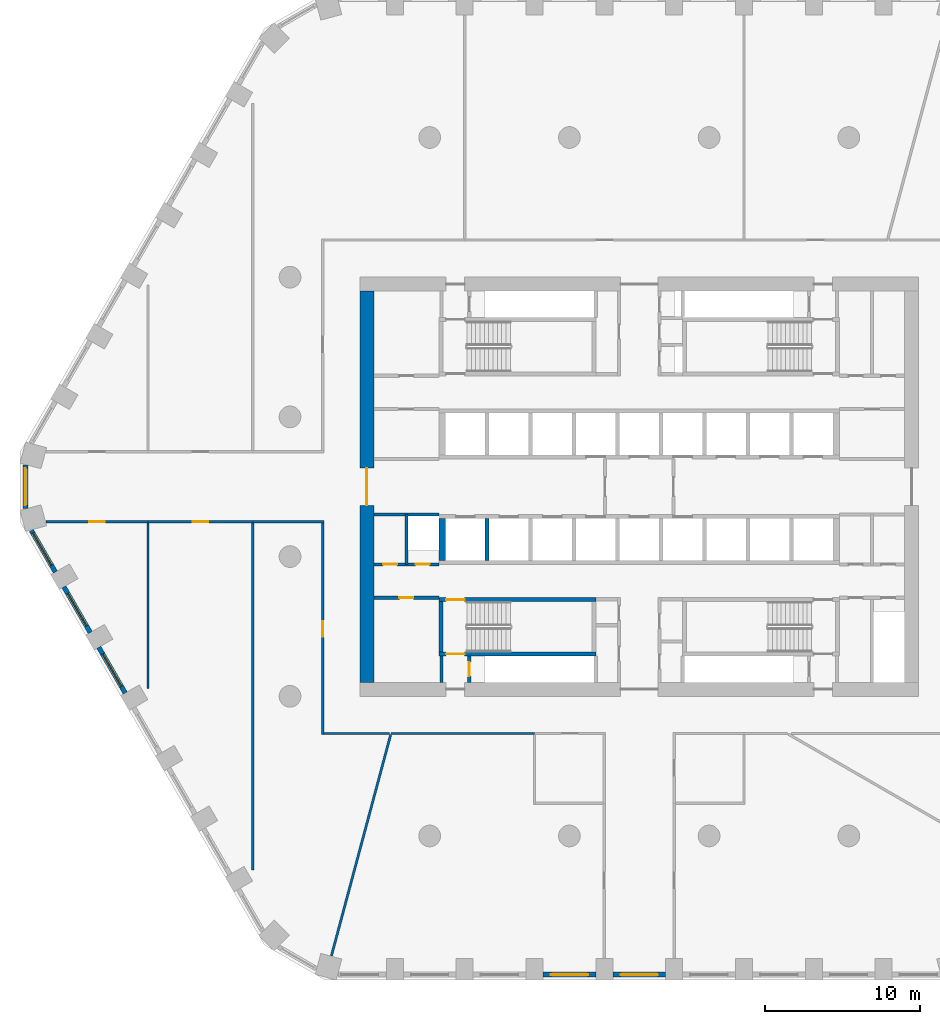
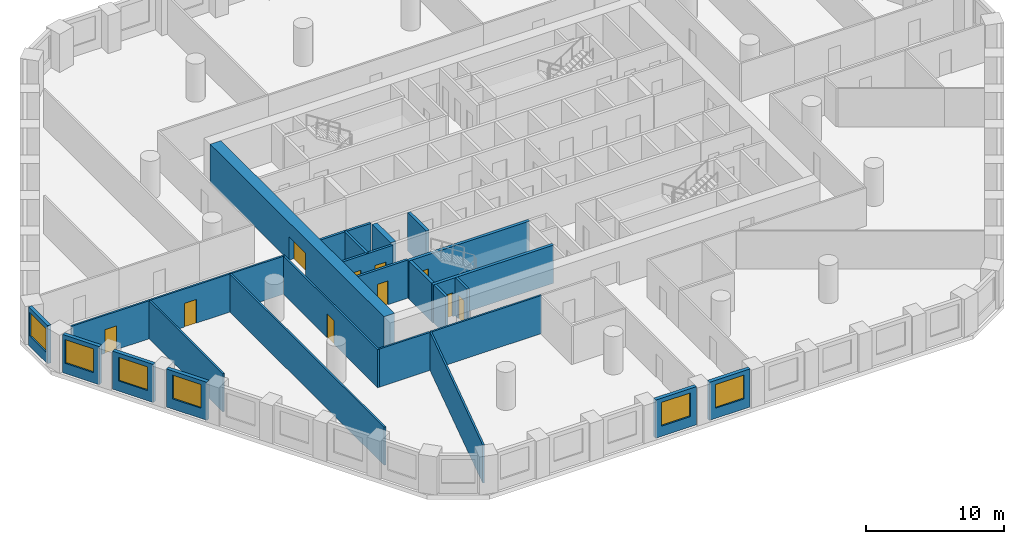
# One storey, part 2 of 10: 27 walls, 10 doors, 6 windows, 16 openings.
"""IFC4 building model written with IfcOpenShell, lengths in metres."""

from ifc_helpers import new_model, si_unit, direction, frame, frame_2d, origin, place, context, subcontext, project, spatial, polyline, rectangle, outline, extrude, material, layer, layer_set, type_object, element, fill, save


model = new_model("IFC4")

# Units and contexts
model_context = context("Model", 3, precision=1e-05, world=origin(), true_north=direction((0.0, 1.0)))
body_context = subcontext(model_context, "Body", "Model", "MODEL_VIEW")
ifc_project = project(units=[si_unit("LENGTHUNIT", "METRE"), si_unit("AREAUNIT", "SQUARE_METRE"), si_unit("VOLUMEUNIT", "CUBIC_METRE"), si_unit("PLANEANGLEUNIT", "RADIAN"), si_unit("MASSUNIT", "GRAM", prefix="KILO")], contexts=[model_context])

# Site, building, storey
site_placement = place(None, origin())
site = spatial("IfcSite", under=ifc_project, at=site_placement, CompositionType="ELEMENT")
building_placement = place(site_placement, origin())
building = spatial("IfcBuilding", under=site, at=building_placement, Name="Dhurran Vertical Campus", CompositionType="ELEMENT")
storey_placement = place(building_placement, frame((0.0, 0.0, 72.89990234375)))
storey = spatial("IfcBuildingStorey", under=building, at=storey_placement, Name="L17", CompositionType="ELEMENT", Elevation=72.89990234375)

# Wall, opening, window
ifc_material_1 = material(Name="Precast concrete C50/60", Category="concrete")
ifc_layer_1 = layer(ifc_material_1, 0.300048828125)
ifc_layer_set_1 = layer_set([ifc_layer_1], Name="Precast concrete C50/60")
wall_type_1 = type_object("IfcWallType", Name="Precast spandrel wall 300", PredefinedType="SOLIDWALL", material=ifc_layer_set_1)
wall_1_placement = place(storey_placement, frame((-6.199462890625, -31.4296875, 0.0), z_axis=(0.0, 0.0, 1.0), x_axis=(1.0, 0.0, 0.0)))
wall_1 = element("IfcWall", 1, at=wall_1_placement, inside=storey, type_object=wall_type_1, Name="EW1 L17.03", PredefinedType="SOLIDWALL", context=body_context, shape_type="SweptSolid", body=[
    extrude(rectangle(XDim=3.39892578125, YDim=0.300048828125, at=frame_2d((1.699462890625, 0.0))), origin(), (0.0, 0.0, 1.0), 3.375),
])
opening_1_placement = place(wall_1_placement, frame((0.49951171875, 0.0, 0.89990234375)))
opening_1 = element("IfcOpeningElement", 2, at=opening_1_placement, cuts=wall_1, Name="Opening WT1", PredefinedType="OPENING", context=body_context, shape_type="SweptSolid", body=[
    extrude(rectangle(XDim=2.39990234375, YDim=2.10009765625, at=frame_2d((1.199951171875, 1.050048828125))), frame((0.0, 0.159912109375, 0.0), z_axis=(0.0, -1.0, 0.0), x_axis=(1.0, 0.0, 0.0)), (0.0, 0.0, 1.0), 0.320068359375),
])
ifc_material_2 = material(Name="Aluminium frame with solar-control glass", Category="aluminium")
window_type = type_object("IfcWindowType", Name="Punched window 2400 x 2100", PartitioningType="SINGLE_PANEL", PredefinedType="WINDOW", material=ifc_material_2)
window_1_placement = place(opening_1_placement, origin())
window_1 = element("IfcWindow", 3, at=window_1_placement, inside=storey, type_object=window_type, Name="WT1 L17.03", OverallHeight=2.10009765625, OverallWidth=2.39990234375, PartitioningType="SINGLE_PANEL", PredefinedType="WINDOW", context=body_context, shape_type="SweptSolid", body=[
    extrude(rectangle(XDim=2.39990234375, YDim=2.10009765625, at=frame_2d((1.199951171875, 1.050048828125))), frame((0.0, 0.030029296875, 0.0), z_axis=(0.0, -1.0, 0.0), x_axis=(1.0, 0.0, 0.0)), (0.0, 0.0, 1.0), 0.06005859375),
])
fill(opening_1, window_1)

wall_2_placement = place(storey_placement, frame((-1.699462890625, -31.4296875, 0.0), z_axis=(0.0, 0.0, 1.0), x_axis=(1.0, 0.0, 0.0)))
wall_2 = element("IfcWall", 4, at=wall_2_placement, inside=storey, type_object=wall_type_1, Name="EW1 L17.04", PredefinedType="SOLIDWALL", context=body_context, shape_type="SweptSolid", body=[
    extrude(rectangle(XDim=3.39892578125, YDim=0.300048828125, at=frame_2d((1.699462890625, 0.0))), origin(), (0.0, 0.0, 1.0), 3.375),
])
opening_2_placement = place(wall_2_placement, frame((0.49951171875, 0.0, 0.89990234375)))
opening_2 = element("IfcOpeningElement", 5, at=opening_2_placement, cuts=wall_2, Name="Opening WT1", PredefinedType="OPENING", context=body_context, shape_type="SweptSolid", body=[
    extrude(rectangle(XDim=2.39990234375, YDim=2.10009765625, at=frame_2d((1.199951171875, 1.050048828125))), frame((0.0, 0.159912109375, 0.0), z_axis=(0.0, -1.0, 0.0), x_axis=(1.0, 0.0, 0.0)), (0.0, 0.0, 1.0), 0.320068359375),
])
window_2_placement = place(opening_2_placement, origin())
window_2 = element("IfcWindow", 6, at=window_2_placement, inside=storey, type_object=window_type, Name="WT1 L17.04", OverallHeight=2.10009765625, OverallWidth=2.39990234375, PartitioningType="SINGLE_PANEL", PredefinedType="WINDOW", context=body_context, shape_type="SweptSolid", body=[
    extrude(rectangle(XDim=2.39990234375, YDim=2.10009765625, at=frame_2d((1.199951171875, 1.050048828125))), frame((0.0, 0.030029296875, 0.0), z_axis=(0.0, -1.0, 0.0), x_axis=(1.0, 0.0, 0.0)), (0.0, 0.0, 1.0), 0.06005859375),
])
fill(opening_2, window_2)

wall_3_placement = place(storey_placement, frame((-39.547119140625, 1.39111328125, 0.0), z_axis=(0.0, 0.0, 1.0), x_axis=(0.0, -1.0, 0.0)))
wall_3 = element("IfcWall", 7, at=wall_3_placement, inside=storey, type_object=wall_type_1, Name="EW1 L17.43", PredefinedType="SOLIDWALL", context=body_context, shape_type="SweptSolid", body=[
    extrude(rectangle(XDim=2.7822265625, YDim=0.300048828125, at=frame_2d((1.39111328125, 0.0))), origin(), (0.0, 0.0, 1.0), 3.375),
])
opening_3_placement = place(wall_3_placement, frame((0.191162109375, 0.0, 0.89990234375)))
opening_3 = element("IfcOpeningElement", 8, at=opening_3_placement, cuts=wall_3, Name="Opening WT1", PredefinedType="OPENING", context=body_context, shape_type="SweptSolid", body=[
    extrude(rectangle(XDim=2.39990234375, YDim=2.10009765625, at=frame_2d((1.199951171875, 1.050048828125))), frame((0.0, 0.159912109375, 0.0), z_axis=(0.0, -1.0, 0.0), x_axis=(1.0, 0.0, 0.0)), (0.0, 0.0, 1.0), 0.320068359375),
])
window_3_placement = place(opening_3_placement, origin())
window_3 = element("IfcWindow", 9, at=window_3_placement, inside=storey, type_object=window_type, Name="WT1 L17.43", OverallHeight=2.10009765625, OverallWidth=2.39990234375, PartitioningType="SINGLE_PANEL", PredefinedType="WINDOW", context=body_context, shape_type="SweptSolid", body=[
    extrude(rectangle(XDim=2.39990234375, YDim=2.10009765625, at=frame_2d((1.199951171875, 1.050048828125))), frame((0.0, 0.030029296875, 0.0), z_axis=(0.0, -1.0, 0.0), x_axis=(1.0, 0.0, 0.0)), (0.0, 0.0, 1.0), 0.06005859375),
])
fill(opening_3, window_3)

wall_4_placement = place(storey_placement, frame((-39.16455078125, -2.81884765625, 0.0), z_axis=(0.0, 0.0, 1.0), x_axis=(0.49997090907, -0.866042198789, 0.0)))
wall_4 = element("IfcWall", 10, at=wall_4_placement, inside=storey, type_object=wall_type_1, Name="EW1 L17.44", PredefinedType="SOLIDWALL", context=body_context, shape_type="SweptSolid", body=[
    extrude(rectangle(XDim=3.090576171875, YDim=0.300048828125, at=frame_2d((1.54541015625, 0.0))), origin(), (0.0, 0.0, 1.0), 3.375),
])
opening_4_placement = place(wall_4_placement, frame((0.19091796875, 0.0, 0.89990234375)))
opening_4 = element("IfcOpeningElement", 11, at=opening_4_placement, cuts=wall_4, Name="Opening WT1", PredefinedType="OPENING", context=body_context, shape_type="SweptSolid", body=[
    extrude(rectangle(XDim=2.39990234375, YDim=2.10009765625, at=frame_2d((1.199951171875, 1.050048828125))), frame((0.0, 0.159912109375, 0.0), z_axis=(0.0, -1.0, 0.0), x_axis=(1.0, 0.0, 0.0)), (0.0, 0.0, 1.0), 0.320068359375),
])
window_4_placement = place(opening_4_placement, origin())
window_4 = element("IfcWindow", 12, at=window_4_placement, inside=storey, type_object=window_type, Name="WT1 L17.44", OverallHeight=2.10009765625, OverallWidth=2.39990234375, PartitioningType="SINGLE_PANEL", PredefinedType="WINDOW", context=body_context, shape_type="SweptSolid", body=[
    extrude(rectangle(XDim=2.39990234375, YDim=2.10009765625, at=frame_2d((1.199951171875, 1.050048828125))), frame((0.0, 0.030029296875, 0.0), z_axis=(0.0, -1.0, 0.0), x_axis=(1.0, 0.0, 0.0)), (0.0, 0.0, 1.0), 0.06005859375),
])
fill(opening_4, window_4)

wall_5_placement = place(storey_placement, frame((-37.06884765625, -6.448974609375, 0.0), z_axis=(0.0, 0.0, 1.0), x_axis=(0.499993955907, -0.866028893315, 0.0)))
wall_5 = element("IfcWall", 13, at=wall_5_placement, inside=storey, type_object=wall_type_1, Name="EW1 L17.45", PredefinedType="SOLIDWALL", context=body_context, shape_type="SweptSolid", body=[
    extrude(rectangle(XDim=3.39892578125, YDim=0.300048828125, at=frame_2d((1.699462890625, 0.0))), origin(), (0.0, 0.0, 1.0), 3.375),
])
opening_5_placement = place(wall_5_placement, frame((0.49951171875, 0.0, 0.89990234375)))
opening_5 = element("IfcOpeningElement", 14, at=opening_5_placement, cuts=wall_5, Name="Opening WT1", PredefinedType="OPENING", context=body_context, shape_type="SweptSolid", body=[
    extrude(rectangle(XDim=2.39990234375, YDim=2.10009765625, at=frame_2d((1.199951171875, 1.050048828125))), frame((0.0, 0.159912109375, 0.0), z_axis=(0.0, -1.0, 0.0), x_axis=(1.0, 0.0, 0.0)), (0.0, 0.0, 1.0), 0.320068359375),
])
window_5_placement = place(opening_5_placement, origin())
window_5 = element("IfcWindow", 15, at=window_5_placement, inside=storey, type_object=window_type, Name="WT1 L17.45", OverallHeight=2.10009765625, OverallWidth=2.39990234375, PartitioningType="SINGLE_PANEL", PredefinedType="WINDOW", context=body_context, shape_type="SweptSolid", body=[
    extrude(rectangle(XDim=2.39990234375, YDim=2.10009765625, at=frame_2d((1.199951171875, 1.050048828125))), frame((0.0, 0.030029296875, 0.0), z_axis=(0.0, -1.0, 0.0), x_axis=(1.0, 0.0, 0.0)), (0.0, 0.0, 1.0), 0.06005859375),
])
fill(opening_5, window_5)

wall_6_placement = place(storey_placement, frame((-34.81884765625, -10.345947265625, 0.0), z_axis=(0.0, 0.0, 1.0), x_axis=(0.499993955907, -0.866028893315, 0.0)))
wall_6 = element("IfcWall", 16, at=wall_6_placement, inside=storey, type_object=wall_type_1, Name="EW1 L17.46", PredefinedType="SOLIDWALL", context=body_context, shape_type="SweptSolid", body=[
    extrude(rectangle(XDim=3.39892578125, YDim=0.300048828125, at=frame_2d((1.699462890625, 0.0))), origin(), (0.0, 0.0, 1.0), 3.375),
])
opening_6_placement = place(wall_6_placement, frame((0.49951171875, 0.0, 0.89990234375)))
opening_6 = element("IfcOpeningElement", 17, at=opening_6_placement, cuts=wall_6, Name="Opening WT1", PredefinedType="OPENING", context=body_context, shape_type="SweptSolid", body=[
    extrude(rectangle(XDim=2.39990234375, YDim=2.10009765625, at=frame_2d((1.199951171875, 1.050048828125))), frame((0.0, 0.159912109375, 0.0), z_axis=(0.0, -1.0, 0.0), x_axis=(1.0, 0.0, 0.0)), (0.0, 0.0, 1.0), 0.320068359375),
])
window_6_placement = place(opening_6_placement, origin())
window_6 = element("IfcWindow", 18, at=window_6_placement, inside=storey, type_object=window_type, Name="WT1 L17.46", OverallHeight=2.10009765625, OverallWidth=2.39990234375, PartitioningType="SINGLE_PANEL", PredefinedType="WINDOW", context=body_context, shape_type="SweptSolid", body=[
    extrude(rectangle(XDim=2.39990234375, YDim=2.10009765625, at=frame_2d((1.199951171875, 1.050048828125))), frame((0.0, 0.030029296875, 0.0), z_axis=(0.0, -1.0, 0.0), x_axis=(1.0, 0.0, 0.0)), (0.0, 0.0, 1.0), 0.06005859375),
])
fill(opening_6, window_6)

# Wall, opening, door
ifc_material_3 = material(Name="Concrete C60/75", Category="concrete")
ifc_layer_2 = layer(ifc_material_3, 0.89990234375)
ifc_layer_set_2 = layer_set([ifc_layer_2], Name="Concrete C60/75")
wall_type_2 = type_object("IfcWallType", Name="co-CORE-WALL-C0-900", PredefinedType="SHEAR", material=ifc_layer_set_2)
wall_7_placement = place(storey_placement, frame((-17.550048828125, -12.60009765625, 0.0), z_axis=(0.0, 0.0, 1.0), x_axis=(0.0, 1.0, 0.0)))
wall_7 = element("IfcWall", 19, at=wall_7_placement, inside=storey, type_object=wall_type_2, Name="Core wall W L17", PredefinedType="SHEAR", context=body_context, shape_type="SweptSolid", body=[
    extrude(rectangle(XDim=25.2001953125, YDim=0.89990234375, at=frame_2d((12.60009765625, 0.0))), origin(), (0.0, 0.0, 1.0), 3.375),
])
opening_7_placement = place(wall_7_placement, frame((11.39990234375, 0.0, 0.0)))
opening_7 = element("IfcOpeningElement", 20, at=opening_7_placement, cuts=wall_7, Name="Opening CL1", PredefinedType="OPENING", context=body_context, shape_type="SweptSolid", body=[
    extrude(rectangle(XDim=2.39990234375, YDim=2.10009765625, at=frame_2d((1.199951171875, 1.050048828125))), frame((0.0, 0.4599609375, 0.0), z_axis=(0.0, -1.0, 0.0), x_axis=(1.0, 0.0, 0.0)), (0.0, 0.0, 1.0), 0.919921875),
])
ifc_material_4 = material(Name="Fire-rated glazed door set")
door_type_1 = type_object("IfcDoorType", Name="co-D-LOBBY 2400x2100", OperationType="DOUBLE_DOOR_DOUBLE_SWING", PredefinedType="DOOR", material=ifc_material_4)
door_1_placement = place(opening_7_placement, origin())
door_1 = element("IfcDoor", 21, at=door_1_placement, inside=storey, type_object=door_type_1, Name="Lift lobby door W L17", OperationType="DOUBLE_DOOR_DOUBLE_SWING", OverallHeight=2.10009765625, OverallWidth=2.39990234375, PredefinedType="DOOR", context=body_context, shape_type="SweptSolid", body=[
    extrude(rectangle(XDim=2.39990234375, YDim=2.10009765625, at=frame_2d((1.199951171875, 1.050048828125))), frame((0.0, 0.02490234375, 0.0), z_axis=(0.0, -1.0, 0.0), x_axis=(1.0, 0.0, 0.0)), (0.0, 0.0, 1.0), 0.050048828125),
])
fill(opening_7, door_1)

# Wall
ifc_material_5 = material(Name="Fire-rated masonry blockwork", Category="masonry")
ifc_layer_3 = layer(ifc_material_5, 0.199951171875)
ifc_layer_set_3 = layer_set([ifc_layer_3], Name="Fire-rated masonry blockwork")
wall_type_3 = type_object("IfcWallType", Name="co-FIRE-PARTITION-200", PredefinedType="PARTITIONING", material=ifc_layer_set_3)
wall_8_placement = place(storey_placement, frame((-12.75, -12.60009765625, 0.0), z_axis=(0.0, 0.0, 1.0), x_axis=(0.0, 1.0, 0.0)))
element("IfcWall", 22, at=wall_8_placement, inside=storey, type_object=wall_type_3, Name="Core partition pass-ST3-o L17", PredefinedType="PARTITIONING", context=body_context, shape_type="SweptSolid", body=[
    extrude(rectangle(XDim=1.7001953125, YDim=0.199951171875, at=frame_2d((0.85009765625, 0.0))), origin(), (0.0, 0.0, 1.0), 3.375),
])

# Wall, opening, door
wall_9_placement = place(storey_placement, frame((-10.949951171875, -12.60009765625, 0.0), z_axis=(0.0, 0.0, 1.0), x_axis=(0.0, 1.0, 0.0)))
wall_9 = element("IfcWall", 23, at=wall_9_placement, inside=storey, type_object=wall_type_3, Name="Core partition pass-ST3-i L17", PredefinedType="PARTITIONING", context=body_context, shape_type="SweptSolid", body=[
    extrude(rectangle(XDim=1.7001953125, YDim=0.199951171875, at=frame_2d((0.85009765625, 0.0))), origin(), (0.0, 0.0, 1.0), 3.375),
])
opening_8_placement = place(wall_9_placement, frame((0.39990234375, 0.0, 0.0)))
opening_8 = element("IfcOpeningElement", 24, at=opening_8_placement, cuts=wall_9, Name="Opening T04-C11", PredefinedType="OPENING", context=body_context, shape_type="SweptSolid", body=[
    extrude(rectangle(XDim=0.89990234375, YDim=2.10009765625, at=frame_2d((0.449951171875, 1.050048828125))), frame((0.0, 0.10986328125, 0.0), z_axis=(0.0, -1.0, 0.0), x_axis=(1.0, 0.0, 0.0)), (0.0, 0.0, 1.0), 0.219970703125),
])
ifc_material_6 = material(Name="Fire-rated timber door set", Category="wood")
door_type_2 = type_object("IfcDoorType", Name="co-D-ROOM 900x2100", OperationType="SINGLE_SWING_LEFT", PredefinedType="DOOR", material=ifc_material_6)
door_2_placement = place(opening_8_placement, origin())
door_2 = element("IfcDoor", 25, at=door_2_placement, inside=storey, type_object=door_type_2, Name="Riser room door L17", OperationType="SINGLE_SWING_LEFT", OverallHeight=2.10009765625, OverallWidth=0.89990234375, PredefinedType="DOOR", context=body_context, shape_type="SweptSolid", body=[
    extrude(rectangle(XDim=0.89990234375, YDim=2.10009765625, at=frame_2d((0.449951171875, 1.050048828125))), frame((0.0, 0.02490234375, 0.0), z_axis=(0.0, -1.0, 0.0), x_axis=(1.0, 0.0, 0.0)), (0.0, 0.0, 1.0), 0.050048828125),
])
fill(opening_8, door_2)

wall_10_placement = place(storey_placement, frame((-17.10009765625, -7.14990234375, 0.0), z_axis=(0.0, 0.0, 1.0), x_axis=(1.0, 0.0, 0.0)))
wall_10 = element("IfcWall", 26, at=wall_10_placement, inside=storey, type_object=wall_type_3, Name="Core partition en-SW-w L17", PredefinedType="PARTITIONING", context=body_context, shape_type="SweptSolid", body=[
    extrude(rectangle(XDim=4.2001953125, YDim=0.199951171875, at=frame_2d((2.10009765625, 0.0))), origin(), (0.0, 0.0, 1.0), 3.375),
])
opening_9_placement = place(wall_10_placement, frame((1.64990234375, 0.0, 0.0)))
opening_9 = element("IfcOpeningElement", 27, at=opening_9_placement, cuts=wall_10, Name="Opening T04-C18", PredefinedType="OPENING", context=body_context, shape_type="SweptSolid", body=[
    extrude(rectangle(XDim=0.89990234375, YDim=2.10009765625, at=frame_2d((0.449951171875, 1.050048828125))), frame((0.0, 0.10986328125, 0.0), z_axis=(0.0, -1.0, 0.0), x_axis=(1.0, 0.0, 0.0)), (0.0, 0.0, 1.0), 0.219970703125),
])
door_3_placement = place(opening_9_placement, origin())
door_3 = element("IfcDoor", 28, at=door_3_placement, inside=storey, type_object=door_type_2, Name="Cleaner's store door L17", OperationType="SINGLE_SWING_LEFT", OverallHeight=2.10009765625, OverallWidth=0.89990234375, PredefinedType="DOOR", context=body_context, shape_type="SweptSolid", body=[
    extrude(rectangle(XDim=0.89990234375, YDim=2.10009765625, at=frame_2d((0.449951171875, 1.050048828125))), frame((0.0, 0.02490234375, 0.0), z_axis=(0.0, -1.0, 0.0), x_axis=(1.0, 0.0, 0.0)), (0.0, 0.0, 1.0), 0.050048828125),
])
fill(opening_9, door_3)

# Wall
wall_11_placement = place(storey_placement, frame((-15.0, -5.0, 0.0), z_axis=(0.0, 0.0, 1.0), x_axis=(0.0, 1.0, 0.0)))
element("IfcWall", 29, at=wall_11_placement, inside=storey, type_object=wall_type_3, Name="Core partition es-SW-cut0 L17", PredefinedType="PARTITIONING", context=body_context, shape_type="SweptSolid", body=[
    extrude(rectangle(XDim=3.199951171875, YDim=0.199951171875, at=frame_2d((1.60009765625, 0.0))), origin(), (0.0, 0.0, 1.0), 3.375),
])

# Wall, openings, doors
wall_12_placement = place(storey_placement, frame((-17.10009765625, -5.0, 0.0), z_axis=(0.0, 0.0, 1.0), x_axis=(1.0, 0.0, 0.0)))
wall_12 = element("IfcWall", 30, at=wall_12_placement, inside=storey, type_object=wall_type_3, Name="Core partition es-SW-w L17", PredefinedType="PARTITIONING", context=body_context, shape_type="SweptSolid", body=[
    extrude(rectangle(XDim=4.2001953125, YDim=0.199951171875, at=frame_2d((2.10009765625, 0.0))), origin(), (0.0, 0.0, 1.0), 3.375),
])
opening_10_placement = place(wall_12_placement, frame((0.60009765625, 0.0, 0.0)))
opening_10 = element("IfcOpeningElement", 31, at=opening_10_placement, cuts=wall_12, Name="Opening T04-C19", PredefinedType="OPENING", context=body_context, shape_type="SweptSolid", body=[
    extrude(rectangle(XDim=0.89990234375, YDim=2.10009765625, at=frame_2d((0.449951171875, 1.050048828125))), frame((0.0, 0.10986328125, 0.0), z_axis=(0.0, -1.0, 0.0), x_axis=(1.0, 0.0, 0.0)), (0.0, 0.0, 1.0), 0.219970703125),
])
opening_11_placement = place(wall_12_placement, frame((2.699951171875, 0.0, 0.0)))
opening_11 = element("IfcOpeningElement", 32, at=opening_11_placement, cuts=wall_12, Name="Opening T04-C20", PredefinedType="OPENING", context=body_context, shape_type="SweptSolid", body=[
    extrude(rectangle(XDim=0.89990234375, YDim=2.10009765625, at=frame_2d((0.449951171875, 1.050048828125))), frame((0.0, 0.10986328125, 0.0), z_axis=(0.0, -1.0, 0.0), x_axis=(1.0, 0.0, 0.0)), (0.0, 0.0, 1.0), 0.219970703125),
])
door_4_placement = place(opening_10_placement, origin())
door_4 = element("IfcDoor", 33, at=door_4_placement, inside=storey, type_object=door_type_2, Name="Pantry door L17", OperationType="SINGLE_SWING_LEFT", OverallHeight=2.10009765625, OverallWidth=0.89990234375, PredefinedType="DOOR", context=body_context, shape_type="SweptSolid", body=[
    extrude(rectangle(XDim=0.89990234375, YDim=2.10009765625, at=frame_2d((0.449951171875, 1.050048828125))), frame((0.0, 0.02490234375, 0.0), z_axis=(0.0, -1.0, 0.0), x_axis=(1.0, 0.0, 0.0)), (0.0, 0.0, 1.0), 0.050048828125),
])
fill(opening_10, door_4)
door_5_placement = place(opening_11_placement, origin())
door_5 = element("IfcDoor", 34, at=door_5_placement, inside=storey, type_object=door_type_2, Name="Water riser door L17", OperationType="SINGLE_SWING_LEFT", OverallHeight=2.10009765625, OverallWidth=0.89990234375, PredefinedType="DOOR", context=body_context, shape_type="SweptSolid", body=[
    extrude(rectangle(XDim=0.89990234375, YDim=2.10009765625, at=frame_2d((0.449951171875, 1.050048828125))), frame((0.0, 0.02490234375, 0.0), z_axis=(0.0, -1.0, 0.0), x_axis=(1.0, 0.0, 0.0)), (0.0, 0.0, 1.0), 0.050048828125),
])
fill(opening_11, door_5)

# Walls
wall_13_placement = place(storey_placement, frame((-17.10009765625, -1.800048828125, 0.0), z_axis=(0.0, 0.0, 1.0), x_axis=(1.0, 0.0, 0.0)))
element("IfcWall", 35, at=wall_13_placement, inside=storey, type_object=wall_type_3, Name="Core partition es-SW-l L17", PredefinedType="PARTITIONING", context=body_context, shape_type="SweptSolid", body=[
    extrude(rectangle(XDim=4.2001953125, YDim=0.199951171875, at=frame_2d((2.10009765625, 0.0))), origin(), (0.0, 0.0, 1.0), 3.375),
])
ifc_material_7 = material(Name="Concrete C50/60", Category="concrete")
ifc_layer_4 = layer(ifc_material_7, 0.25)
ifc_layer_set_4 = layer_set([ifc_layer_4], Name="Concrete C50/60")
wall_type_4 = type_object("IfcWallType", Name="co-SHAFT-MASS-250", PredefinedType="SHEAR", material=ifc_layer_set_4)
wall_14_placement = place(storey_placement, origin())
element("IfcWall", 36, at=wall_14_placement, inside=storey, type_object=wall_type_4, Name="Lift shaft wall S L17 2", PredefinedType="SHEAR", context=body_context, shape_type="SweptSolid", body=[
    extrude(outline(polyline([(-12.89990234375, -4.75), (-12.47509765625, -4.75), (-12.47509765625, -2.050048828125), (-12.89990234375, -2.050048828125), (-12.89990234375, -4.75)])), origin(), (0.0, 0.0, 1.0), 3.375),
])
wall_15_placement = place(storey_placement, origin())
element("IfcWall", 37, at=wall_15_placement, inside=storey, type_object=wall_type_4, Name="Lift shaft wall S L17 3", PredefinedType="SHEAR", context=body_context, shape_type="SweptSolid", body=[
    extrude(outline(polyline([(-9.925048828125, -4.75), (-9.675048828125, -4.75), (-9.675048828125, -2.050048828125), (-9.925048828125, -2.050048828125), (-9.925048828125, -4.75)])), origin(), (0.0, 0.0, 1.0), 3.375),
])

# Wall, opening, door
ifc_material_8 = material(Name="Concrete C40/50", Category="concrete")
ifc_layer_5 = layer(ifc_material_8, 0.25)
ifc_layer_set_5 = layer_set([ifc_layer_5], Name="Concrete C40/50")
wall_type_5 = type_object("IfcWallType", Name="co-STAIR-WALL-250", PredefinedType="SHEAR", material=ifc_layer_set_5)
wall_16_placement = place(storey_placement, frame((-12.89990234375, -10.77490234375, 0.0), z_axis=(0.0, 0.0, 1.0), x_axis=(1.0, 0.0, 0.0)))
wall_16 = element("IfcWall", 38, at=wall_16_placement, inside=storey, type_object=wall_type_5, Name="Stair ST3 enclosure wall L17", PredefinedType="SHEAR", context=body_context, shape_type="SweptSolid", body=[
    extrude(rectangle(XDim=10.099853515625, YDim=0.25, at=frame_2d((5.0498046875, 0.0))), origin(), (0.0, 0.0, 1.0), 3.375),
])
opening_12_placement = place(wall_16_placement, frame((0.449951171875, 0.0, 0.0)))
opening_12 = element("IfcOpeningElement", 39, at=opening_12_placement, cuts=wall_16, Name="Opening XS3", PredefinedType="OPENING", context=body_context, shape_type="SweptSolid", body=[
    extrude(rectangle(XDim=1.199951171875, YDim=2.10009765625, at=frame_2d((0.60009765625, 1.050048828125))), frame((0.0, 0.135009765625, 0.0), z_axis=(0.0, -1.0, 0.0), x_axis=(1.0, 0.0, 0.0)), (0.0, 0.0, 1.0), 0.27001953125),
])
ifc_material_9 = material(Name="Fire-rated steel door set", Category="steel")
door_type_3 = type_object("IfcDoorType", Name="co-D-STAIR-EXIT 1200x2100", OperationType="SINGLE_SWING_RIGHT", PredefinedType="DOOR", material=ifc_material_9)
door_6_placement = place(opening_12_placement, origin())
door_6 = element("IfcDoor", 40, at=door_6_placement, inside=storey, type_object=door_type_3, Name="Stair ST3 discharge door L17", OperationType="SINGLE_SWING_RIGHT", OverallHeight=2.10009765625, OverallWidth=1.199951171875, PredefinedType="DOOR", context=body_context, shape_type="SweptSolid", body=[
    extrude(rectangle(XDim=1.199951171875, YDim=2.10009765625, at=frame_2d((0.60009765625, 1.050048828125))), frame((0.0, 0.02490234375, 0.0), z_axis=(0.0, -1.0, 0.0), x_axis=(1.0, 0.0, 0.0)), (0.0, 0.0, 1.0), 0.050048828125),
])
fill(opening_12, door_6)

wall_17_placement = place(storey_placement, frame((-12.89990234375, -7.27490234375, 0.0), z_axis=(0.0, 0.0, 1.0), x_axis=(1.0, 0.0, 0.0)))
wall_17 = element("IfcWall", 41, at=wall_17_placement, inside=storey, type_object=wall_type_5, Name="Stair ST3 enclosure wall L17", PredefinedType="SHEAR", context=body_context, shape_type="SweptSolid", body=[
    extrude(rectangle(XDim=10.099853515625, YDim=0.25, at=frame_2d((5.0498046875, 0.0))), origin(), (0.0, 0.0, 1.0), 3.375),
])
opening_13_placement = place(wall_17_placement, frame((0.449951171875, 0.0, 0.0)))
opening_13 = element("IfcOpeningElement", 42, at=opening_13_placement, cuts=wall_17, Name="Opening SD3", PredefinedType="OPENING", context=body_context, shape_type="SweptSolid", body=[
    extrude(rectangle(XDim=1.199951171875, YDim=2.10009765625, at=frame_2d((0.60009765625, 1.050048828125))), frame((0.0, 0.135009765625, 0.0), z_axis=(0.0, -1.0, 0.0), x_axis=(1.0, 0.0, 0.0)), (0.0, 0.0, 1.0), 0.27001953125),
])
ifc_material_10 = material(Name="Fire-rated steel door set", Category="steel")
door_type_4 = type_object("IfcDoorType", Name="co-D-STAIR 1200x2100", OperationType="SINGLE_SWING_LEFT", PredefinedType="DOOR", material=ifc_material_10)
door_7_placement = place(opening_13_placement, origin())
door_7 = element("IfcDoor", 43, at=door_7_placement, inside=storey, type_object=door_type_4, Name="Stair ST3 door L17", OperationType="SINGLE_SWING_LEFT", OverallHeight=2.10009765625, OverallWidth=1.199951171875, PredefinedType="DOOR", context=body_context, shape_type="SweptSolid", body=[
    extrude(rectangle(XDim=1.199951171875, YDim=2.10009765625, at=frame_2d((0.60009765625, 1.050048828125))), frame((0.0, 0.02490234375, 0.0), z_axis=(0.0, -1.0, 0.0), x_axis=(1.0, 0.0, 0.0)), (0.0, 0.0, 1.0), 0.050048828125),
])
fill(opening_13, door_7)

# Wall
wall_18_placement = place(storey_placement, frame((-12.77490234375, -10.64990234375, 0.0), z_axis=(0.0, 0.0, 1.0), x_axis=(0.0, 1.0, 0.0)))
element("IfcWall", 44, at=wall_18_placement, inside=storey, type_object=wall_type_5, Name="Stair ST3 enclosure wall L17", PredefinedType="SHEAR", context=body_context, shape_type="SweptSolid", body=[
    extrude(rectangle(XDim=3.25, YDim=0.25, at=frame_2d((1.625, 0.0))), origin(), (0.0, 0.0, 1.0), 3.375),
])

# Wall, opening, door
ifc_material_11 = material(Name="Gypsum board corridor wall on steel studs", Category="steel")
ifc_layer_6 = layer(ifc_material_11, 0.14990234375)
ifc_layer_set_6 = layer_set([ifc_layer_6], Name="Gypsum board corridor wall on steel studs")
wall_type_6 = type_object("IfcWallType", Name="fl-CW-150 corridor wall", PredefinedType="PARTITIONING", material=ifc_layer_set_6)
wall_19_placement = place(storey_placement, frame((-31.64990234375, -2.25, 0.0), z_axis=(0.0, 0.0, 1.0), x_axis=(-1.0, 0.0, 0.0)))
wall_19 = element("IfcWall", 45, at=wall_19_placement, inside=storey, type_object=wall_type_6, Name="Partition 17-01", PredefinedType="PARTITIONING", context=body_context, shape_type="SweptSolid", body=[
    extrude(rectangle(XDim=6.5830078125, YDim=0.14990234375, at=frame_2d((3.29150390625, 0.0))), origin(), (0.0, 0.0, 1.0), 3.375),
])
opening_14_placement = place(wall_19_placement, frame((2.79150390625, 0.0, 0.0)))
opening_14 = element("IfcOpeningElement", 46, at=opening_14_placement, cuts=wall_19, Name="Opening T04.01", PredefinedType="OPENING", context=body_context, shape_type="SweptSolid", body=[
    extrude(rectangle(XDim=1.0, YDim=2.10009765625, at=frame_2d((0.5, 1.050048828125))), frame((0.0, 0.0849609375, 0.0), z_axis=(0.0, -1.0, 0.0), x_axis=(1.0, 0.0, 0.0)), (0.0, 0.0, 1.0), 0.169921875),
])
ifc_material_12 = material(Name="Solid-core timber door set, fire-rated", Category="wood")
door_type_5 = type_object("IfcDoorType", Name="fl-D-1000x2100", OperationType="SINGLE_SWING_LEFT", PredefinedType="DOOR", material=ifc_material_12)
door_8_placement = place(opening_14_placement, origin())
door_8 = element("IfcDoor", 47, at=door_8_placement, inside=storey, type_object=door_type_5, Name="Door 17.01", OperationType="SINGLE_SWING_LEFT", OverallHeight=2.10009765625, OverallWidth=1.0, PredefinedType="DOOR", context=body_context, shape_type="SweptSolid", body=[
    extrude(rectangle(XDim=1.0, YDim=2.10009765625, at=frame_2d((0.5, 1.050048828125))), frame((0.0, 0.02490234375, 0.0), z_axis=(0.0, -1.0, 0.0), x_axis=(1.0, 0.0, 0.0)), (0.0, 0.0, 1.0), 0.050048828125),
])
fill(opening_14, door_8)

wall_20_placement = place(storey_placement, frame((-24.89990234375, -2.25, 0.0), z_axis=(0.0, 0.0, 1.0), x_axis=(-1.0, 0.0, 0.0)))
wall_20 = element("IfcWall", 48, at=wall_20_placement, inside=storey, type_object=wall_type_6, Name="Partition 17-04", PredefinedType="PARTITIONING", context=body_context, shape_type="SweptSolid", body=[
    extrude(rectangle(XDim=6.75, YDim=0.14990234375, at=frame_2d((3.375, 0.0))), origin(), (0.0, 0.0, 1.0), 3.375),
])
opening_15_placement = place(wall_20_placement, frame((2.875, 0.0, 0.0)))
opening_15 = element("IfcOpeningElement", 49, at=opening_15_placement, cuts=wall_20, Name="Opening T04.03", PredefinedType="OPENING", context=body_context, shape_type="SweptSolid", body=[
    extrude(rectangle(XDim=1.0, YDim=2.10009765625, at=frame_2d((0.5, 1.050048828125))), frame((0.0, 0.0849609375, 0.0), z_axis=(0.0, -1.0, 0.0), x_axis=(1.0, 0.0, 0.0)), (0.0, 0.0, 1.0), 0.169921875),
])
door_9_placement = place(opening_15_placement, origin())
door_9 = element("IfcDoor", 50, at=door_9_placement, inside=storey, type_object=door_type_5, Name="Door 17.03", OperationType="SINGLE_SWING_LEFT", OverallHeight=2.10009765625, OverallWidth=1.0, PredefinedType="DOOR", context=body_context, shape_type="SweptSolid", body=[
    extrude(rectangle(XDim=1.0, YDim=2.10009765625, at=frame_2d((0.5, 1.050048828125))), frame((0.0, 0.02490234375, 0.0), z_axis=(0.0, -1.0, 0.0), x_axis=(1.0, 0.0, 0.0)), (0.0, 0.0, 1.0), 0.050048828125),
])
fill(opening_15, door_9)

# Wall
wall_21_placement = place(storey_placement, frame((-20.324951171875, -2.25, 0.0), z_axis=(0.0, 0.0, 1.0), x_axis=(-1.0, 0.0, 0.0)))
element("IfcWall", 51, at=wall_21_placement, inside=storey, type_object=wall_type_6, Name="Partition 17-08", PredefinedType="PARTITIONING", context=body_context, shape_type="SweptSolid", body=[
    extrude(rectangle(XDim=4.574951171875, YDim=0.14990234375, at=frame_2d((2.28759765625, 0.0))), origin(), (0.0, 0.0, 1.0), 3.375),
])

# Wall, opening, door
wall_22_placement = place(storey_placement, frame((-20.39990234375, -2.324951171875, 0.0), z_axis=(0.0, 0.0, 1.0), x_axis=(0.0, -1.0, 0.0)))
wall_22 = element("IfcWall", 52, at=wall_22_placement, inside=storey, type_object=wall_type_6, Name="Partition 17-11", PredefinedType="PARTITIONING", context=body_context, shape_type="SweptSolid", body=[
    extrude(rectangle(XDim=13.650146484375, YDim=0.14990234375, at=frame_2d((6.8251953125, 0.0))), origin(), (0.0, 0.0, 1.0), 3.375),
])
opening_16_placement = place(wall_22_placement, frame((6.324951171875, 0.0, 0.0)))
opening_16 = element("IfcOpeningElement", 53, at=opening_16_placement, cuts=wall_22, Name="Opening T04.05", PredefinedType="OPENING", context=body_context, shape_type="SweptSolid", body=[
    extrude(rectangle(XDim=1.0, YDim=2.10009765625, at=frame_2d((0.5, 1.050048828125))), frame((0.0, 0.0849609375, 0.0), z_axis=(0.0, -1.0, 0.0), x_axis=(1.0, 0.0, 0.0)), (0.0, 0.0, 1.0), 0.169921875),
])
door_10_placement = place(opening_16_placement, origin())
door_10 = element("IfcDoor", 54, at=door_10_placement, inside=storey, type_object=door_type_5, Name="Door 17.05", OperationType="SINGLE_SWING_RIGHT", OverallHeight=2.10009765625, OverallWidth=1.0, PredefinedType="DOOR", context=body_context, shape_type="SweptSolid", body=[
    extrude(rectangle(XDim=1.0, YDim=2.10009765625, at=frame_2d((0.5, 1.050048828125))), frame((0.0, 0.02490234375, 0.0), z_axis=(0.0, -1.0, 0.0), x_axis=(1.0, 0.0, 0.0)), (0.0, 0.0, 1.0), 0.050048828125),
])
fill(opening_16, door_10)

# Walls
wall_23_placement = place(storey_placement, frame((-20.324951171875, -15.89990234375, 0.0), z_axis=(0.0, 0.0, 1.0), x_axis=(1.0, 0.0, 0.0)))
element("IfcWall", 55, at=wall_23_placement, inside=storey, type_object=wall_type_6, Name="Partition 17-12", PredefinedType="PARTITIONING", context=body_context, shape_type="SweptSolid", body=[
    extrude(rectangle(XDim=4.23486328125, YDim=0.14990234375, at=frame_2d((2.117431640625, 0.0))), origin(), (0.0, 0.0, 1.0), 3.375),
])
wall_24_placement = place(storey_placement, frame((-15.9951171875, -15.89990234375, 0.0), z_axis=(0.0, 0.0, 1.0), x_axis=(1.0, 0.0, 0.0)))
element("IfcWall", 56, at=wall_24_placement, inside=storey, type_object=wall_type_6, Name="Partition 17-16", PredefinedType="PARTITIONING", context=body_context, shape_type="SweptSolid", body=[
    extrude(rectangle(XDim=9.2451171875, YDim=0.14990234375, at=frame_2d((4.62255859375, 0.0))), origin(), (0.0, 0.0, 1.0), 3.375),
])
ifc_material_13 = material(Name="Gypsum board partition on steel studs", Category="steel")
ifc_layer_7 = layer(ifc_material_13, 0.14990234375)
ifc_layer_set_7 = layer_set([ifc_layer_7], Name="Gypsum board partition on steel studs")
wall_type_7 = type_object("IfcWallType", Name="fl-PW-150 fixed partition", PredefinedType="PARTITIONING", material=ifc_layer_set_7)
wall_25_placement = place(storey_placement, frame((-31.64990234375, -2.324951171875, 0.0), z_axis=(0.0, 0.0, 1.0), x_axis=(0.0, -1.0, 0.0)))
element("IfcWall", 57, at=wall_25_placement, inside=storey, type_object=wall_type_7, Name="Partition 17-03", PredefinedType="PARTITIONING", context=body_context, shape_type="SweptSolid", body=[
    extrude(rectangle(XDim=10.677001953125, YDim=0.14990234375, at=frame_2d((5.33837890625, 0.0))), origin(), (0.0, 0.0, 1.0), 3.375),
])
wall_26_placement = place(storey_placement, frame((-24.89990234375, -2.324951171875, 0.0), z_axis=(0.0, 0.0, 1.0), x_axis=(0.0, -1.0, 0.0)))
element("IfcWall", 58, at=wall_26_placement, inside=storey, type_object=wall_type_7, Name="Partition 17-07", PredefinedType="PARTITIONING", context=body_context, shape_type="SweptSolid", body=[
    extrude(rectangle(XDim=22.3681640625, YDim=0.14990234375, at=frame_2d((11.18408203125, 0.0))), origin(), (0.0, 0.0, 1.0), 3.375),
])
wall_27_placement = place(storey_placement, frame((-16.014404296875, -15.972412109375, 0.0), z_axis=(0.0, 0.0, 1.0), x_axis=(-0.258838346818, -0.965920654203, 0.0)))
element("IfcWall", 59, at=wall_27_placement, inside=storey, type_object=wall_type_7, Name="Partition 17-15", PredefinedType="PARTITIONING", context=body_context, shape_type="SweptSolid", body=[
    extrude(rectangle(XDim=14.757568359375, YDim=0.14990234375, at=frame_2d((7.37890625, 0.0))), origin(), (0.0, 0.0, 1.0), 3.375),
])

save(model, "model.ifc")
